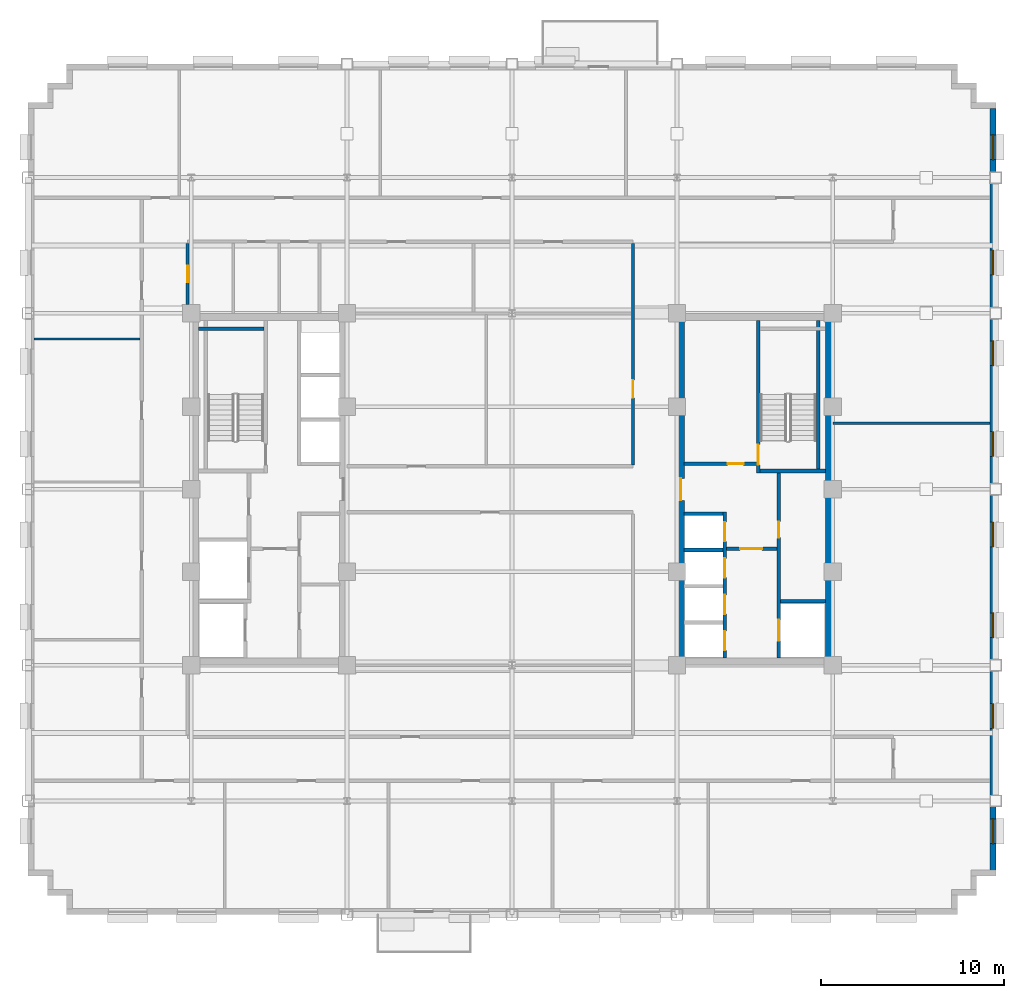
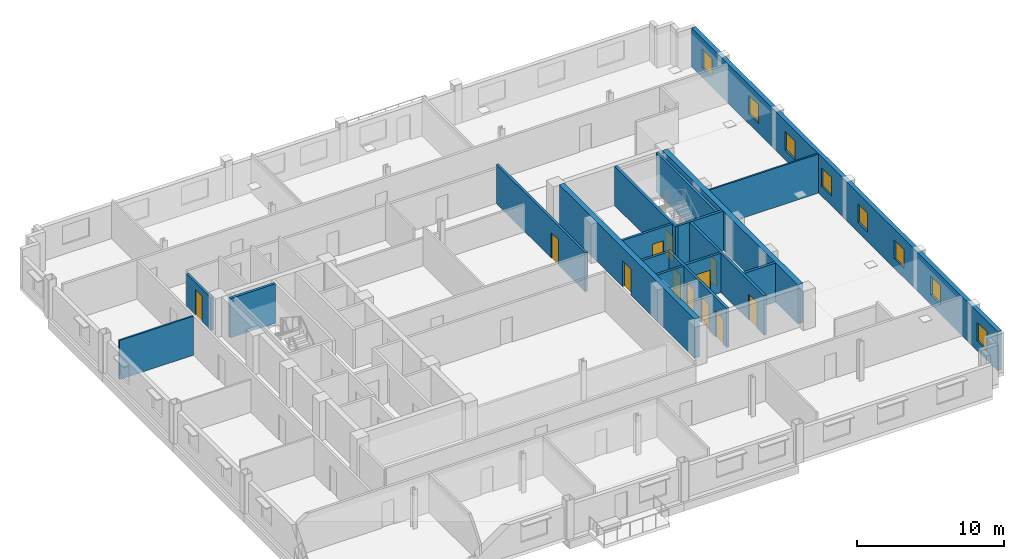
# One storey, part 8 of 14: 18 walls, 12 doors, 8 windows, 20 openings.
"""IFC4 building model written with IfcOpenShell, lengths in metres."""

from ifc_helpers import new_model, si_unit, direction, frame, frame_2d, origin, place, context, subcontext, project, spatial, rectangle, extrude, source, transform, mapped, material, layer, layer_set, type_object, type_shapes, element, fill, save


model = new_model("IFC4")

# Units and contexts
model_context = context("Model", 3, precision=1e-05, world=origin(), true_north=direction((0.0, 1.0)))
body_context = subcontext(model_context, "Body", "Model", "MODEL_VIEW")
ifc_project = project(units=[si_unit("LENGTHUNIT", "METRE"), si_unit("AREAUNIT", "SQUARE_METRE"), si_unit("VOLUMEUNIT", "CUBIC_METRE"), si_unit("PLANEANGLEUNIT", "RADIAN"), si_unit("MASSUNIT", "GRAM", prefix="KILO")], contexts=[model_context])

# Site, building, storey
site_placement = place(None, origin())
site = spatial("IfcSite", under=ifc_project, at=site_placement, CompositionType="ELEMENT")
building_placement = place(site_placement, origin())
building = spatial("IfcBuilding", under=site, at=building_placement, Name="Nuvemarco Arch Tower", CompositionType="ELEMENT")
storey_placement = place(building_placement, frame((0.0, 0.0, 164.0)))
storey = spatial("IfcBuildingStorey", under=building, at=storey_placement, Name="L43", CompositionType="ELEMENT", Elevation=164.0)

# Wall, openings, windows
ifc_material_1 = material(Name="Precast concrete C45/55", Category="concrete")
ifc_layer_1 = layer(ifc_material_1, 0.320068359375, Name="EW-MID-320")
ifc_layer_set_1 = layer_set([ifc_layer_1], Name="Precast concrete C45/55")
wall_type_1 = type_object("IfcWallType", Name="EW-MID-320", PredefinedType="STANDARD", material=ifc_layer_set_1)
wall_1_placement = place(storey_placement, frame((26.239990234375, -20.783935546875, 0.0), z_axis=(0.0, 0.0, 1.0), x_axis=(0.0, 1.0, 0.0)))
wall_1 = element("IfcWall", 1, at=wall_1_placement, inside=storey, type_object=wall_type_1, Name="L43 exterior precast facade wall 6", PredefinedType="STANDARD", context=body_context, shape_type="SweptSolid", body=[
    extrude(rectangle(XDim=41.56787109375, YDim=0.320068359375, at=frame_2d((20.783935546875, 0.0))), origin(), (0.0, 0.0, 1.0), 3.239990234375),
])
opening_1_placement = place(wall_1_placement, frame((1.447998046875, 0.0, 0.800048828125)))
opening_1 = element("IfcOpeningElement", 2, at=opening_1_placement, cuts=wall_1, Name="Opening WN-6", PredefinedType="OPENING", context=body_context, shape_type="SweptSolid", body=[
    extrude(rectangle(XDim=1.35009765625, YDim=1.56005859375, at=frame_2d((0.675048828125, 0.780029296875))), frame((0.0, 0.169921875, 0.0), z_axis=(0.0, -1.0, 0.0), x_axis=(1.0, 0.0, 0.0)), (0.0, 0.0, 1.0), 0.340087890625),
])
opening_2_placement = place(wall_1_placement, frame((7.743896484375, 0.0, 0.800048828125)))
opening_2 = element("IfcOpeningElement", 3, at=opening_2_placement, cuts=wall_1, Name="Opening WN-6", PredefinedType="OPENING", context=body_context, shape_type="SweptSolid", body=[
    extrude(rectangle(XDim=1.35009765625, YDim=1.56005859375, at=frame_2d((0.675048828125, 0.780029296875))), frame((0.0, 0.169921875, 0.0), z_axis=(0.0, -1.0, 0.0), x_axis=(1.0, 0.0, 0.0)), (0.0, 0.0, 1.0), 0.340087890625),
])
opening_3_placement = place(wall_1_placement, frame((12.68994140625, 0.0, 0.800048828125)))
opening_3 = element("IfcOpeningElement", 4, at=opening_3_placement, cuts=wall_1, Name="Opening WN-6", PredefinedType="OPENING", context=body_context, shape_type="SweptSolid", body=[
    extrude(rectangle(XDim=1.35009765625, YDim=1.56005859375, at=frame_2d((0.675048828125, 0.780029296875))), frame((0.0, 0.169921875, 0.0), z_axis=(0.0, -1.0, 0.0), x_axis=(1.0, 0.0, 0.0)), (0.0, 0.0, 1.0), 0.340087890625),
])
opening_4_placement = place(wall_1_placement, frame((17.635986328125, 0.0, 0.800048828125)))
opening_4 = element("IfcOpeningElement", 5, at=opening_4_placement, cuts=wall_1, Name="Opening WN-6", PredefinedType="OPENING", context=body_context, shape_type="SweptSolid", body=[
    extrude(rectangle(XDim=1.35009765625, YDim=1.56005859375, at=frame_2d((0.675048828125, 0.780029296875))), frame((0.0, 0.169921875, 0.0), z_axis=(0.0, -1.0, 0.0), x_axis=(1.0, 0.0, 0.0)), (0.0, 0.0, 1.0), 0.340087890625),
])
opening_5_placement = place(wall_1_placement, frame((22.58203125, 0.0, 0.800048828125)))
opening_5 = element("IfcOpeningElement", 6, at=opening_5_placement, cuts=wall_1, Name="Opening WN-6", PredefinedType="OPENING", context=body_context, shape_type="SweptSolid", body=[
    extrude(rectangle(XDim=1.35009765625, YDim=1.56005859375, at=frame_2d((0.675048828125, 0.780029296875))), frame((0.0, 0.169921875, 0.0), z_axis=(0.0, -1.0, 0.0), x_axis=(1.0, 0.0, 0.0)), (0.0, 0.0, 1.0), 0.340087890625),
])
opening_6_placement = place(wall_1_placement, frame((27.528076171875, 0.0, 0.800048828125)))
opening_6 = element("IfcOpeningElement", 7, at=opening_6_placement, cuts=wall_1, Name="Opening WN-6", PredefinedType="OPENING", context=body_context, shape_type="SweptSolid", body=[
    extrude(rectangle(XDim=1.35009765625, YDim=1.56005859375, at=frame_2d((0.675048828125, 0.780029296875))), frame((0.0, 0.169921875, 0.0), z_axis=(0.0, -1.0, 0.0), x_axis=(1.0, 0.0, 0.0)), (0.0, 0.0, 1.0), 0.340087890625),
])
opening_7_placement = place(wall_1_placement, frame((32.47412109375, 0.0, 0.800048828125)))
opening_7 = element("IfcOpeningElement", 8, at=opening_7_placement, cuts=wall_1, Name="Opening WN-6", PredefinedType="OPENING", context=body_context, shape_type="SweptSolid", body=[
    extrude(rectangle(XDim=1.35009765625, YDim=1.56005859375, at=frame_2d((0.675048828125, 0.780029296875))), frame((0.0, 0.169921875, 0.0), z_axis=(0.0, -1.0, 0.0), x_axis=(1.0, 0.0, 0.0)), (0.0, 0.0, 1.0), 0.340087890625),
])
opening_8_placement = place(wall_1_placement, frame((38.77001953125, 0.0, 0.800048828125)))
opening_8 = element("IfcOpeningElement", 9, at=opening_8_placement, cuts=wall_1, Name="Opening WN-6", PredefinedType="OPENING", context=body_context, shape_type="SweptSolid", body=[
    extrude(rectangle(XDim=1.35009765625, YDim=1.56005859375, at=frame_2d((0.675048828125, 0.780029296875))), frame((0.0, 0.169921875, 0.0), z_axis=(0.0, -1.0, 0.0), x_axis=(1.0, 0.0, 0.0)), (0.0, 0.0, 1.0), 0.340087890625),
])
ifc_material_2 = material(Name="Insulated solar-control glass", Category="glass")
window_type = type_object("IfcWindowType", Name="WN-MID-1350x1560", PartitioningType="SINGLE_PANEL", PredefinedType="WINDOW", material=ifc_material_2)
shared_shape_1 = source(origin(), body_context, "Body", "SweptSolid", [
    extrude(rectangle(XDim=1.35009765625, YDim=1.56005859375, at=frame_2d((0.675048828125, 0.780029296875))), frame((0.0, 0.030029296875, 0.0), z_axis=(0.0, -1.0, 0.0), x_axis=(1.0, 0.0, 0.0)), (0.0, 0.0, 1.0), 0.06005859375),
])
type_shapes(window_type, [shared_shape_1])
window_1_placement = place(opening_1_placement, origin())
window_1 = element("IfcWindow", 10, at=window_1_placement, inside=storey, type_object=window_type, Name="L43 punched facade window 1", OverallHeight=1.56005859375, OverallWidth=1.35009765625, PartitioningType="SINGLE_PANEL", PredefinedType="WINDOW", context=body_context, shape_type="MappedRepresentation", body=[
    mapped(shared_shape_1, transform((0.0, 0.0, 0.0), scale=1.0)),
])
fill(opening_1, window_1)
window_2_placement = place(opening_2_placement, origin())
window_2 = element("IfcWindow", 11, at=window_2_placement, inside=storey, type_object=window_type, Name="L43 punched facade window 2", OverallHeight=1.56005859375, OverallWidth=1.35009765625, PartitioningType="SINGLE_PANEL", PredefinedType="WINDOW", context=body_context, shape_type="MappedRepresentation", body=[
    mapped(shared_shape_1, transform((0.0, 0.0, 0.0), scale=1.0)),
])
fill(opening_2, window_2)
window_3_placement = place(opening_3_placement, origin())
window_3 = element("IfcWindow", 12, at=window_3_placement, inside=storey, type_object=window_type, Name="L43 punched facade window 3", OverallHeight=1.56005859375, OverallWidth=1.35009765625, PartitioningType="SINGLE_PANEL", PredefinedType="WINDOW", context=body_context, shape_type="MappedRepresentation", body=[
    mapped(shared_shape_1, transform((0.0, 0.0, 0.0), scale=1.0)),
])
fill(opening_3, window_3)
window_4_placement = place(opening_4_placement, origin())
window_4 = element("IfcWindow", 13, at=window_4_placement, inside=storey, type_object=window_type, Name="L43 punched facade window 4", OverallHeight=1.56005859375, OverallWidth=1.35009765625, PartitioningType="SINGLE_PANEL", PredefinedType="WINDOW", context=body_context, shape_type="MappedRepresentation", body=[
    mapped(shared_shape_1, transform((0.0, 0.0, 0.0), scale=1.0)),
])
fill(opening_4, window_4)
window_5_placement = place(opening_5_placement, origin())
window_5 = element("IfcWindow", 14, at=window_5_placement, inside=storey, type_object=window_type, Name="L43 punched facade window 5", OverallHeight=1.56005859375, OverallWidth=1.35009765625, PartitioningType="SINGLE_PANEL", PredefinedType="WINDOW", context=body_context, shape_type="MappedRepresentation", body=[
    mapped(shared_shape_1, transform((0.0, 0.0, 0.0), scale=1.0)),
])
fill(opening_5, window_5)
window_6_placement = place(opening_6_placement, origin())
window_6 = element("IfcWindow", 15, at=window_6_placement, inside=storey, type_object=window_type, Name="L43 punched facade window 6", OverallHeight=1.56005859375, OverallWidth=1.35009765625, PartitioningType="SINGLE_PANEL", PredefinedType="WINDOW", context=body_context, shape_type="MappedRepresentation", body=[
    mapped(shared_shape_1, transform((0.0, 0.0, 0.0), scale=1.0)),
])
fill(opening_6, window_6)
window_7_placement = place(opening_7_placement, origin())
window_7 = element("IfcWindow", 16, at=window_7_placement, inside=storey, type_object=window_type, Name="L43 punched facade window 7", OverallHeight=1.56005859375, OverallWidth=1.35009765625, PartitioningType="SINGLE_PANEL", PredefinedType="WINDOW", context=body_context, shape_type="MappedRepresentation", body=[
    mapped(shared_shape_1, transform((0.0, 0.0, 0.0), scale=1.0)),
])
fill(opening_7, window_7)
window_8_placement = place(opening_8_placement, origin())
window_8 = element("IfcWindow", 17, at=window_8_placement, inside=storey, type_object=window_type, Name="L43 punched facade window 8", OverallHeight=1.56005859375, OverallWidth=1.35009765625, PartitioningType="SINGLE_PANEL", PredefinedType="WINDOW", context=body_context, shape_type="MappedRepresentation", body=[
    mapped(shared_shape_1, transform((0.0, 0.0, 0.0), scale=1.0)),
])
fill(opening_8, window_8)

# Wall, opening, door
ifc_material_3 = material(Name="Concrete C60/75", Category="concrete")
ifc_layer_2 = layer(ifc_material_3, 0.39990234375, Name="WL-CORE-400")
ifc_layer_set_2 = layer_set([ifc_layer_2], Name="Concrete C60/75")
wall_type_2 = type_object("IfcWallType", Name="WL-CORE-400", PredefinedType="SHEAR", material=ifc_layer_set_2)
wall_2_placement = place(storey_placement, frame((9.199951171875, -9.205078125, 0.0), z_axis=(0.0, 0.0, 1.0), x_axis=(0.0, 1.0, 0.0)))
wall_2 = element("IfcWall", 18, at=wall_2_placement, inside=storey, type_object=wall_type_2, Name="L43 E-core shear wall W", PredefinedType="SHEAR", context=body_context, shape_type="SweptSolid", body=[
    extrude(rectangle(XDim=18.41015625, YDim=0.39990234375, at=frame_2d((9.205078125, 0.0))), origin(), (0.0, 0.0, 1.0), 3.25),
])
opening_9_placement = place(wall_2_placement, frame((8.60498046875, 0.0, 0.0)))
opening_9 = element("IfcOpeningElement", 19, at=opening_9_placement, cuts=wall_2, Name="Opening FD-2", PredefinedType="OPENING", context=body_context, shape_type="SweptSolid", body=[
    extrude(rectangle(XDim=1.199951171875, YDim=2.14990234375, at=frame_2d((0.60009765625, 1.074951171875))), frame((0.0, 0.2099609375, 0.0), z_axis=(0.0, -1.0, 0.0), x_axis=(1.0, 0.0, 0.0)), (0.0, 0.0, 1.0), 0.419921875),
])
ifc_material_4 = material(Name="Anodised steel fire door", Category="steel")
door_type_1 = type_object("IfcDoorType", Name="DR-FFLOB-FD", OperationType="NOTDEFINED", PredefinedType="DOOR", material=ifc_material_4)
shared_shape_2 = source(origin(), body_context, "Body", "SweptSolid", [
    extrude(rectangle(XDim=1.199951171875, YDim=2.14990234375, at=frame_2d((0.60009765625, 1.074951171875))), frame((0.0, 0.02490234375, 0.0), z_axis=(0.0, -1.0, 0.0), x_axis=(1.0, 0.0, 0.0)), (0.0, 0.0, 1.0), 0.050048828125),
])
type_shapes(door_type_1, [shared_shape_2])
door_1_placement = place(opening_9_placement, origin())
door_1 = element("IfcDoor", 20, at=door_1_placement, inside=storey, type_object=door_type_1, Name="L43 door FD-L43-ECORE-W", OperationType="SINGLE_SWING_LEFT", OverallHeight=2.14990234375, OverallWidth=1.199951171875, PredefinedType="DOOR", context=body_context, shape_type="MappedRepresentation", body=[
    mapped(shared_shape_2, transform((0.0, 0.0, 0.0), scale=1.0)),
])
fill(opening_9, door_1)

# Wall
wall_3_placement = place(storey_placement, frame((17.300048828125, -9.205078125, 0.0), z_axis=(0.0, 0.0, 1.0), x_axis=(0.0, 1.0, 0.0)))
element("IfcWall", 21, at=wall_3_placement, inside=storey, type_object=wall_type_2, Name="L43 E-core shear wall E", PredefinedType="SHEAR", context=body_context, shape_type="SweptSolid", body=[
    extrude(rectangle(XDim=18.41015625, YDim=0.39990234375, at=frame_2d((9.205078125, 0.0))), origin(), (0.0, 0.0, 1.0), 3.25),
])

# Wall, opening, door
ifc_material_5 = material(Name="Fire-rated gypsum drywall partition")
ifc_layer_3 = layer(ifc_material_5, 0.179931640625, Name="WL-CORR-180")
ifc_layer_set_3 = layer_set([ifc_layer_3], Name="Fire-rated gypsum drywall partition")
wall_type_3 = type_object("IfcWallType", Name="WL-CORR-180", PredefinedType="PARTITIONING", material=ifc_layer_set_3)
wall_4_placement = place(storey_placement, frame((9.39501953125, 1.39990234375, 0.0), z_axis=(0.0, 0.0, 1.0), x_axis=(1.0, 0.0, 0.0)))
wall_4 = element("IfcWall", 22, at=wall_4_placement, inside=storey, type_object=wall_type_3, Name="L43 interior wall IW-L43-EK-S", PredefinedType="PARTITIONING", context=body_context, shape_type="SweptSolid", body=[
    extrude(rectangle(XDim=3.949951171875, YDim=0.179931640625, at=frame_2d((1.97509765625, 0.0))), origin(), (0.0, 0.0, 1.0), 3.239990234375),
])
opening_10_placement = place(wall_4_placement, frame((2.364990234375, 0.0, 0.0)))
opening_10 = element("IfcOpeningElement", 23, at=opening_10_placement, cuts=wall_4, Name="Opening FD-4", PredefinedType="OPENING", context=body_context, shape_type="SweptSolid", body=[
    extrude(rectangle(XDim=0.8798828125, YDim=2.10009765625, at=frame_2d((0.43994140625, 1.050048828125))), frame((0.0, 0.099853515625, 0.0), z_axis=(0.0, -1.0, 0.0), x_axis=(1.0, 0.0, 0.0)), (0.0, 0.0, 1.0), 0.199951171875),
])
door_type_2 = type_object("IfcDoorType", Name="DR-RISER-FD", OperationType="NOTDEFINED", PredefinedType="DOOR", material=ifc_material_4)
shared_shape_3 = source(origin(), body_context, "Body", "SweptSolid", [
    extrude(rectangle(XDim=0.8798828125, YDim=2.10009765625, at=frame_2d((0.43994140625, 1.050048828125))), frame((0.0, 0.02490234375, 0.0), z_axis=(0.0, -1.0, 0.0), x_axis=(1.0, 0.0, 0.0)), (0.0, 0.0, 1.0), 0.050048828125),
])
type_shapes(door_type_2, [shared_shape_3])
door_2_placement = place(opening_10_placement, origin())
door_2 = element("IfcDoor", 24, at=door_2_placement, inside=storey, type_object=door_type_2, Name="L43 door FD-L43-EK1A", OperationType="SINGLE_SWING_RIGHT", OverallHeight=2.10009765625, OverallWidth=0.8798828125, PredefinedType="DOOR", context=body_context, shape_type="MappedRepresentation", body=[
    mapped(shared_shape_3, transform((0.0, 0.0, 0.0), scale=1.0)),
])
fill(opening_10, door_2)

wall_5_placement = place(storey_placement, frame((-17.699951171875, 10.071044921875, 0.0), z_axis=(0.0, 0.0, 1.0), x_axis=(0.0, 1.0, 0.0)))
wall_5 = element("IfcWall", 25, at=wall_5_placement, inside=storey, type_object=wall_type_3, Name="L43 interior wall IW-L43-020", PredefinedType="PARTITIONING", context=body_context, shape_type="SweptSolid", body=[
    extrude(rectangle(XDim=3.343017578125, YDim=0.179931640625, at=frame_2d((1.67138671875, 0.0))), origin(), (0.0, 0.0, 1.0), 2.696044921875),
])
opening_11_placement = place(wall_5_placement, frame((1.221435546875, 0.0, 0.0)))
opening_11 = element("IfcOpeningElement", 26, at=opening_11_placement, cuts=wall_5, Name="Opening ID-3", PredefinedType="OPENING", context=body_context, shape_type="SweptSolid", body=[
    extrude(rectangle(XDim=0.89990234375, YDim=2.10009765625, at=frame_2d((0.449951171875, 1.050048828125))), frame((0.0, 0.099853515625, 0.0), z_axis=(0.0, -1.0, 0.0), x_axis=(1.0, 0.0, 0.0)), (0.0, 0.0, 1.0), 0.199951171875),
])
ifc_material_6 = material(Name="Veneered oak timber fire door", Category="wood")
door_type_3 = type_object("IfcDoorType", Name="DR-WC-ACC", OperationType="NOTDEFINED", PredefinedType="DOOR", material=ifc_material_6)
shared_shape_4 = source(origin(), body_context, "Body", "SweptSolid", [
    extrude(rectangle(XDim=0.89990234375, YDim=2.10009765625, at=frame_2d((0.449951171875, 1.050048828125))), frame((0.0, 0.02490234375, 0.0), z_axis=(0.0, -1.0, 0.0), x_axis=(1.0, 0.0, 0.0)), (0.0, 0.0, 1.0), 0.050048828125),
])
type_shapes(door_type_3, [shared_shape_4])
door_3_placement = place(opening_11_placement, origin())
door_3 = element("IfcDoor", 27, at=door_3_placement, inside=storey, type_object=door_type_3, Name="L43 door DR-L43-WC_M", OperationType="SINGLE_SWING_RIGHT", OverallHeight=2.10009765625, OverallWidth=0.89990234375, PredefinedType="DOOR", context=body_context, shape_type="MappedRepresentation", body=[
    mapped(shared_shape_4, transform((0.0, 0.0, 0.0), scale=1.0)),
])
fill(opening_11, door_3)

wall_6_placement = place(storey_placement, frame((6.60009765625, 1.3359375, 0.0), z_axis=(0.0, 0.0, 1.0), x_axis=(0.0, 1.0, 0.0)))
wall_6 = element("IfcWall", 28, at=wall_6_placement, inside=storey, type_object=wall_type_3, Name="L43 interior wall IW-L43-032", PredefinedType="PARTITIONING", context=body_context, shape_type="SweptSolid", body=[
    extrude(rectangle(XDim=12.078125, YDim=0.179931640625, at=frame_2d((6.0390625, 0.0))), origin(), (0.0, 0.0, 1.0), 3.239990234375),
])
opening_12_placement = place(wall_6_placement, frame((3.652099609375, 0.0, 0.0)))
opening_12 = element("IfcOpeningElement", 29, at=opening_12_placement, cuts=wall_6, Name="Opening FD-5", PredefinedType="OPENING", context=body_context, shape_type="SweptSolid", body=[
    extrude(rectangle(XDim=0.9599609375, YDim=2.10009765625, at=frame_2d((0.47998046875, 1.050048828125))), frame((0.0, 0.099853515625, 0.0), z_axis=(0.0, -1.0, 0.0), x_axis=(1.0, 0.0, 0.0)), (0.0, 0.0, 1.0), 0.199951171875),
])
ifc_material_7 = material(Name="Timber fire door", Category="wood")
door_type_4 = type_object("IfcDoorType", Name="DR-CORR-FD", OperationType="NOTDEFINED", PredefinedType="DOOR", material=ifc_material_7)
shared_shape_5 = source(origin(), body_context, "Body", "SweptSolid", [
    extrude(rectangle(XDim=0.9599609375, YDim=2.10009765625, at=frame_2d((0.47998046875, 1.050048828125))), frame((0.0, 0.02490234375, 0.0), z_axis=(0.0, -1.0, 0.0), x_axis=(1.0, 0.0, 0.0)), (0.0, 0.0, 1.0), 0.050048828125),
])
type_shapes(door_type_4, [shared_shape_5])
door_4_placement = place(opening_12_placement, origin())
door_4 = element("IfcDoor", 30, at=door_4_placement, inside=storey, type_object=door_type_4, Name="L43 door DR-L43-C_N2", OperationType="SINGLE_SWING_RIGHT", OverallHeight=2.10009765625, OverallWidth=0.9599609375, PredefinedType="DOOR", context=body_context, shape_type="MappedRepresentation", body=[
    mapped(shared_shape_5, transform((0.0, 0.0, 0.0), scale=1.0)),
])
fill(opening_12, door_4)

# Walls
ifc_material_8 = material(Name="Glazed acoustic office partition")
ifc_layer_4 = layer(ifc_material_8, 0.1298828125, Name="WL-EXEC-130")
ifc_layer_set_4 = layer_set([ifc_layer_4], Name="Glazed acoustic office partition")
wall_type_4 = type_object("IfcWallType", Name="WL-EXEC-130", PredefinedType="PARTITIONING", material=ifc_layer_set_4)
wall_7_placement = place(storey_placement, frame((17.5, 3.60009765625, 0.0), z_axis=(0.0, 0.0, 1.0), x_axis=(1.0, 0.0, 0.0)))
element("IfcWall", 31, at=wall_7_placement, inside=storey, type_object=wall_type_4, Name="L43 interior wall IW-L43-010", PredefinedType="PARTITIONING", context=body_context, shape_type="SweptSolid", body=[
    extrude(rectangle(XDim=8.580078125, YDim=0.1298828125, at=frame_2d((4.2900390625, 0.0))), origin(), (0.0, 0.0, 1.0), 3.239990234375),
])
wall_8_placement = place(storey_placement, frame((-26.080078125, 8.199951171875, 0.0), z_axis=(0.0, 0.0, 1.0), x_axis=(1.0, 0.0, 0.0)))
element("IfcWall", 32, at=wall_8_placement, inside=storey, type_object=wall_type_4, Name="L43 interior wall IW-L43-011", PredefinedType="PARTITIONING", context=body_context, shape_type="SweptSolid", body=[
    extrude(rectangle(XDim=5.794189453125, YDim=0.1298828125, at=frame_2d((2.89697265625, 0.0))), origin(), (0.0, 0.0, 1.0), 3.239990234375),
])
ifc_material_9 = material(Name="Concrete C50/60", Category="concrete")
ifc_layer_5 = layer(ifc_material_9, 0.199951171875, Name="WL-SHAFT-220")
ifc_layer_set_5 = layer_set([ifc_layer_5], Name="Concrete C50/60")
wall_type_5 = type_object("IfcWallType", Name="WL-SHAFT-220", PredefinedType="SHEAR", material=ifc_layer_set_5)
wall_9_placement = place(storey_placement, frame((-17.10498046875, 8.75, 0.0), z_axis=(0.0, 0.0, 1.0), x_axis=(1.0, 0.0, 0.0)))
element("IfcWall", 33, at=wall_9_placement, inside=storey, type_object=wall_type_5, Name="L43 structural shaft wall SW-L43-W-ST1N", PredefinedType="SHEAR", context=body_context, shape_type="SweptSolid", body=[
    extrude(rectangle(XDim=3.570068359375, YDim=0.199951171875, at=frame_2d((1.78515625, 0.0))), origin(), (0.0, 0.0, 1.0), 3.25),
])

# Wall, opening, door
wall_10_placement = place(storey_placement, frame((13.43994140625, 0.89990234375, 0.0), z_axis=(0.0, 0.0, 1.0), x_axis=(0.0, 1.0, 0.0)))
wall_10 = element("IfcWall", 34, at=wall_10_placement, inside=storey, type_object=wall_type_5, Name="L43 structural shaft wall SW-L43-E-ST2W", PredefinedType="SHEAR", context=body_context, shape_type="SweptSolid", body=[
    extrude(rectangle(XDim=8.30517578125, YDim=0.199951171875, at=frame_2d((4.152587890625, 0.0))), origin(), (0.0, 0.0, 1.0), 3.25),
])
opening_13_placement = place(wall_10_placement, frame((0.429931640625, 0.0, 0.0)))
opening_13 = element("IfcOpeningElement", 35, at=opening_13_placement, cuts=wall_10, Name="Opening FD-1", PredefinedType="OPENING", context=body_context, shape_type="SweptSolid", body=[
    extrude(rectangle(XDim=1.10009765625, YDim=2.14990234375, at=frame_2d((0.550048828125, 1.074951171875))), frame((0.0, 0.10986328125, 0.0), z_axis=(0.0, -1.0, 0.0), x_axis=(1.0, 0.0, 0.0)), (0.0, 0.0, 1.0), 0.219970703125),
])
door_type_5 = type_object("IfcDoorType", Name="DR-STAIR-FD", OperationType="NOTDEFINED", PredefinedType="DOOR", material=ifc_material_4)
shared_shape_6 = source(origin(), body_context, "Body", "SweptSolid", [
    extrude(rectangle(XDim=1.10009765625, YDim=2.14990234375, at=frame_2d((0.550048828125, 1.074951171875))), frame((0.0, 0.02490234375, 0.0), z_axis=(0.0, -1.0, 0.0), x_axis=(1.0, 0.0, 0.0)), (0.0, 0.0, 1.0), 0.050048828125),
])
type_shapes(door_type_5, [shared_shape_6])
door_5_placement = place(opening_13_placement, origin())
door_5 = element("IfcDoor", 36, at=door_5_placement, inside=storey, type_object=door_type_5, Name="L43 door FD-L43-ST2", OperationType="SINGLE_SWING_LEFT", OverallHeight=2.14990234375, OverallWidth=1.10009765625, PredefinedType="DOOR", context=body_context, shape_type="MappedRepresentation", body=[
    mapped(shared_shape_6, transform((0.0, 0.0, 0.0), scale=1.0)),
])
fill(opening_13, door_5)

# Walls
wall_11_placement = place(storey_placement, frame((13.534912109375, 1.0, 0.0), z_axis=(0.0, 0.0, 1.0), x_axis=(1.0, 0.0, 0.0)))
element("IfcWall", 37, at=wall_11_placement, inside=storey, type_object=wall_type_5, Name="L43 structural shaft wall SW-L43-E-ST2S", PredefinedType="SHEAR", context=body_context, shape_type="SweptSolid", body=[
    extrude(rectangle(XDim=3.570068359375, YDim=0.199951171875, at=frame_2d((1.78515625, 0.0))), origin(), (0.0, 0.0, 1.0), 3.25),
])
wall_12_placement = place(storey_placement, frame((16.699951171875, 1.094970703125, 0.0), z_axis=(0.0, 0.0, 1.0), x_axis=(0.0, 1.0, 0.0)))
element("IfcWall", 38, at=wall_12_placement, inside=storey, type_object=wall_type_5, Name="L43 structural shaft wall SW-L43-E-ST2E", PredefinedType="SHEAR", context=body_context, shape_type="SweptSolid", body=[
    extrude(rectangle(XDim=8.110107421875, YDim=0.199951171875, at=frame_2d((4.05517578125, 0.0))), origin(), (0.0, 0.0, 1.0), 3.25),
])

# Wall, openings, doors
wall_13_placement = place(storey_placement, frame((14.550048828125, -9.205078125, 0.0), z_axis=(0.0, 0.0, 1.0), x_axis=(0.0, 1.0, 0.0)))
wall_13 = element("IfcWall", 39, at=wall_13_placement, inside=storey, type_object=wall_type_5, Name="L43 structural shaft wall SW-L43-E-SHW", PredefinedType="SHEAR", context=body_context, shape_type="SweptSolid", body=[
    extrude(rectangle(XDim=10.110107421875, YDim=0.199951171875, at=frame_2d((5.05517578125, 0.0))), origin(), (0.0, 0.0, 1.0), 3.25),
])
opening_14_placement = place(wall_13_placement, frame((6.56494140625, 0.0, 0.0)))
opening_14 = element("IfcOpeningElement", 40, at=opening_14_placement, cuts=wall_13, Name="Opening FD-4", PredefinedType="OPENING", context=body_context, shape_type="SweptSolid", body=[
    extrude(rectangle(XDim=0.8798828125, YDim=2.10009765625, at=frame_2d((0.43994140625, 1.050048828125))), frame((0.0, 0.10986328125, 0.0), z_axis=(0.0, -1.0, 0.0), x_axis=(1.0, 0.0, 0.0)), (0.0, 0.0, 1.0), 0.219970703125),
])
opening_15_placement = place(wall_13_placement, frame((0.929931640625, 0.0, 0.0)))
opening_15 = element("IfcOpeningElement", 41, at=opening_15_placement, cuts=wall_13, Name="Opening LD-2", PredefinedType="OPENING", context=body_context, shape_type="SweptSolid", body=[
    extrude(rectangle(XDim=1.14990234375, YDim=2.14990234375, at=frame_2d((0.574951171875, 1.074951171875))), frame((0.0, 0.10986328125, 0.0), z_axis=(0.0, -1.0, 0.0), x_axis=(1.0, 0.0, 0.0)), (0.0, 0.0, 1.0), 0.219970703125),
])
door_6_placement = place(opening_14_placement, origin())
door_6 = element("IfcDoor", 42, at=door_6_placement, inside=storey, type_object=door_type_2, Name="L43 door FD-L43-ERIS", OperationType="SINGLE_SWING_LEFT", OverallHeight=2.10009765625, OverallWidth=0.8798828125, PredefinedType="DOOR", context=body_context, shape_type="MappedRepresentation", body=[
    mapped(shared_shape_3, transform((0.0, 0.0, 0.0), scale=1.0)),
])
fill(opening_14, door_6)
ifc_material_10 = material(Name="Stainless steel lift door", Category="steel")
door_type_6 = type_object("IfcDoorType", Name="DR-LIFT-FIRE", OperationType="DOUBLE_DOOR_SLIDING", PredefinedType="DOOR", material=ifc_material_10)
shared_shape_7 = source(origin(), body_context, "Body", "SweptSolid", [
    extrude(rectangle(XDim=1.14990234375, YDim=2.14990234375, at=frame_2d((0.574951171875, 1.074951171875))), frame((0.0, 0.02490234375, 0.0), z_axis=(0.0, -1.0, 0.0), x_axis=(1.0, 0.0, 0.0)), (0.0, 0.0, 1.0), 0.050048828125),
])
type_shapes(door_type_6, [shared_shape_7])
door_7_placement = place(opening_15_placement, origin())
door_7 = element("IfcDoor", 43, at=door_7_placement, inside=storey, type_object=door_type_6, Name="L43 Lift landing sliding door FFL-2", OperationType="DOUBLE_DOOR_SLIDING", OverallHeight=2.14990234375, OverallWidth=1.14990234375, PredefinedType="DOOR", context=body_context, shape_type="MappedRepresentation", body=[
    mapped(shared_shape_7, transform((0.0, 0.0, 0.0), scale=1.0)),
])
fill(opening_15, door_7)

# Wall
wall_14_placement = place(storey_placement, frame((14.64501953125, -6.10009765625, 0.0), z_axis=(0.0, 0.0, 1.0), x_axis=(1.0, 0.0, 0.0)))
element("IfcWall", 44, at=wall_14_placement, inside=storey, type_object=wall_type_5, Name="L43 structural shaft wall SW-L43-E-SH1", PredefinedType="SHEAR", context=body_context, shape_type="SweptSolid", body=[
    extrude(rectangle(XDim=2.4599609375, YDim=0.199951171875, at=frame_2d((1.22998046875, 0.0))), origin(), (0.0, 0.0, 1.0), 3.25),
])

# Wall, openings, doors
wall_15_placement = place(storey_placement, frame((11.60009765625, -9.205078125, 0.0), z_axis=(0.0, 0.0, 1.0), x_axis=(0.0, 1.0, 0.0)))
wall_15 = element("IfcWall", 45, at=wall_15_placement, inside=storey, type_object=wall_type_5, Name="L43 structural shaft wall SW-L43-E-PME", PredefinedType="SHEAR", context=body_context, shape_type="SweptSolid", body=[
    extrude(rectangle(XDim=7.97509765625, YDim=0.199951171875, at=frame_2d((3.987548828125, 0.0))), origin(), (0.0, 0.0, 1.0), 3.25),
])
opening_16_placement = place(wall_15_placement, frame((0.419921875, 0.0, 0.0)))
opening_16 = element("IfcOpeningElement", 46, at=opening_16_placement, cuts=wall_15, Name="Opening LD-1", PredefinedType="OPENING", context=body_context, shape_type="SweptSolid", body=[
    extrude(rectangle(XDim=1.050048828125, YDim=2.14990234375, at=frame_2d((0.52490234375, 1.074951171875))), frame((0.0, 0.10986328125, 0.0), z_axis=(0.0, -1.0, 0.0), x_axis=(1.0, 0.0, 0.0)), (0.0, 0.0, 1.0), 0.219970703125),
])
opening_17_placement = place(wall_15_placement, frame((2.39990234375, 0.0, 0.0)))
opening_17 = element("IfcOpeningElement", 47, at=opening_17_placement, cuts=wall_15, Name="Opening LD-1", PredefinedType="OPENING", context=body_context, shape_type="SweptSolid", body=[
    extrude(rectangle(XDim=1.050048828125, YDim=2.14990234375, at=frame_2d((0.52490234375, 1.074951171875))), frame((0.0, 0.10986328125, 0.0), z_axis=(0.0, -1.0, 0.0), x_axis=(1.0, 0.0, 0.0)), (0.0, 0.0, 1.0), 0.219970703125),
])
opening_18_placement = place(wall_15_placement, frame((4.3798828125, 0.0, 0.0)))
opening_18 = element("IfcOpeningElement", 48, at=opening_18_placement, cuts=wall_15, Name="Opening LD-1", PredefinedType="OPENING", context=body_context, shape_type="SweptSolid", body=[
    extrude(rectangle(XDim=1.050048828125, YDim=2.14990234375, at=frame_2d((0.52490234375, 1.074951171875))), frame((0.0, 0.10986328125, 0.0), z_axis=(0.0, -1.0, 0.0), x_axis=(1.0, 0.0, 0.0)), (0.0, 0.0, 1.0), 0.219970703125),
])
opening_19_placement = place(wall_15_placement, frame((6.360107421875, 0.0, 0.0)))
opening_19 = element("IfcOpeningElement", 49, at=opening_19_placement, cuts=wall_15, Name="Opening LD-1", PredefinedType="OPENING", context=body_context, shape_type="SweptSolid", body=[
    extrude(rectangle(XDim=1.050048828125, YDim=2.14990234375, at=frame_2d((0.52490234375, 1.074951171875))), frame((0.0, 0.10986328125, 0.0), z_axis=(0.0, -1.0, 0.0), x_axis=(1.0, 0.0, 0.0)), (0.0, 0.0, 1.0), 0.219970703125),
])
door_type_7 = type_object("IfcDoorType", Name="DR-LIFT-PASS", OperationType="DOUBLE_DOOR_SLIDING", PredefinedType="DOOR", material=ifc_material_10)
shared_shape_8 = source(origin(), body_context, "Body", "SweptSolid", [
    extrude(rectangle(XDim=1.050048828125, YDim=2.14990234375, at=frame_2d((0.52490234375, 1.074951171875))), frame((0.0, 0.02490234375, 0.0), z_axis=(0.0, -1.0, 0.0), x_axis=(1.0, 0.0, 0.0)), (0.0, 0.0, 1.0), 0.050048828125),
])
type_shapes(door_type_7, [shared_shape_8])
door_8_placement = place(opening_16_placement, origin())
door_8 = element("IfcDoor", 50, at=door_8_placement, inside=storey, type_object=door_type_7, Name="L43 Lift landing sliding door PM-1", OperationType="DOUBLE_DOOR_SLIDING", OverallHeight=2.14990234375, OverallWidth=1.050048828125, PredefinedType="DOOR", context=body_context, shape_type="MappedRepresentation", body=[
    mapped(shared_shape_8, transform((0.0, 0.0, 0.0), scale=1.0)),
])
fill(opening_16, door_8)
door_9_placement = place(opening_17_placement, origin())
door_9 = element("IfcDoor", 51, at=door_9_placement, inside=storey, type_object=door_type_7, Name="L43 Lift landing sliding door PM-2", OperationType="DOUBLE_DOOR_SLIDING", OverallHeight=2.14990234375, OverallWidth=1.050048828125, PredefinedType="DOOR", context=body_context, shape_type="MappedRepresentation", body=[
    mapped(shared_shape_8, transform((0.0, 0.0, 0.0), scale=1.0)),
])
fill(opening_17, door_9)
door_10_placement = place(opening_18_placement, origin())
door_10 = element("IfcDoor", 52, at=door_10_placement, inside=storey, type_object=door_type_7, Name="L43 Lift landing sliding door PM-3", OperationType="DOUBLE_DOOR_SLIDING", OverallHeight=2.14990234375, OverallWidth=1.050048828125, PredefinedType="DOOR", context=body_context, shape_type="MappedRepresentation", body=[
    mapped(shared_shape_8, transform((0.0, 0.0, 0.0), scale=1.0)),
])
fill(opening_18, door_10)
door_11_placement = place(opening_19_placement, origin())
door_11 = element("IfcDoor", 53, at=door_11_placement, inside=storey, type_object=door_type_7, Name="L43 Lift landing sliding door PM-4", OperationType="DOUBLE_DOOR_SLIDING", OverallHeight=2.14990234375, OverallWidth=1.050048828125, PredefinedType="DOOR", context=body_context, shape_type="MappedRepresentation", body=[
    mapped(shared_shape_8, transform((0.0, 0.0, 0.0), scale=1.0)),
])
fill(opening_19, door_11)

# Wall, opening, door
wall_16_placement = place(storey_placement, frame((11.695068359375, -3.25, 0.0), z_axis=(0.0, 0.0, 1.0), x_axis=(1.0, 0.0, 0.0)))
wall_16 = element("IfcWall", 54, at=wall_16_placement, inside=storey, type_object=wall_type_5, Name="L43 structural shaft wall SW-L43-E-FFN", PredefinedType="SHEAR", context=body_context, shape_type="SweptSolid", body=[
    extrude(rectangle(XDim=2.760009765625, YDim=0.199951171875, at=frame_2d((1.3798828125, 0.0))), origin(), (0.0, 0.0, 1.0), 3.25),
])
opening_20_placement = place(wall_16_placement, frame((0.7548828125, 0.0, 0.0)))
opening_20 = element("IfcOpeningElement", 55, at=opening_20_placement, cuts=wall_16, Name="Opening FD-2", PredefinedType="OPENING", context=body_context, shape_type="SweptSolid", body=[
    extrude(rectangle(XDim=1.199951171875, YDim=2.14990234375, at=frame_2d((0.60009765625, 1.074951171875))), frame((0.0, 0.10986328125, 0.0), z_axis=(0.0, -1.0, 0.0), x_axis=(1.0, 0.0, 0.0)), (0.0, 0.0, 1.0), 0.219970703125),
])
door_12_placement = place(opening_20_placement, origin())
door_12 = element("IfcDoor", 56, at=door_12_placement, inside=storey, type_object=door_type_1, Name="L43 door FD-L43-EFF2", OperationType="SINGLE_SWING_LEFT", OverallHeight=2.14990234375, OverallWidth=1.199951171875, PredefinedType="DOOR", context=body_context, shape_type="MappedRepresentation", body=[
    mapped(shared_shape_2, transform((0.0, 0.0, 0.0), scale=1.0)),
])
fill(opening_20, door_12)

# Walls
for number, where, z_axis, x_axis, name in (
    (57, (9.39501953125, -3.31005859375, 0.0), (0.0, 0.0, 1.0), (1.0, 0.0, 0.0), "L43 structural shaft wall SW-L43-E-PMD3"),
    (58, (9.39501953125, -1.330078125, 0.0), (0.0, 0.0, 1.0), (1.0, 0.0, 0.0), "L43 structural shaft wall SW-L43-E-PMD4"),
):
    element("IfcWall", number, at=place(storey_placement, frame(where, z_axis=z_axis, x_axis=x_axis)), inside=storey, type_object=wall_type_5, Name=name, PredefinedType="SHEAR", context=body_context, shape_type="SweptSolid", body=[
        extrude(rectangle(XDim=2.10986328125, YDim=0.199951171875, at=frame_2d((1.054931640625, 0.0))), origin(), (0.0, 0.0, 1.0), 3.25),
    ])

save(model, "model.ifc")
